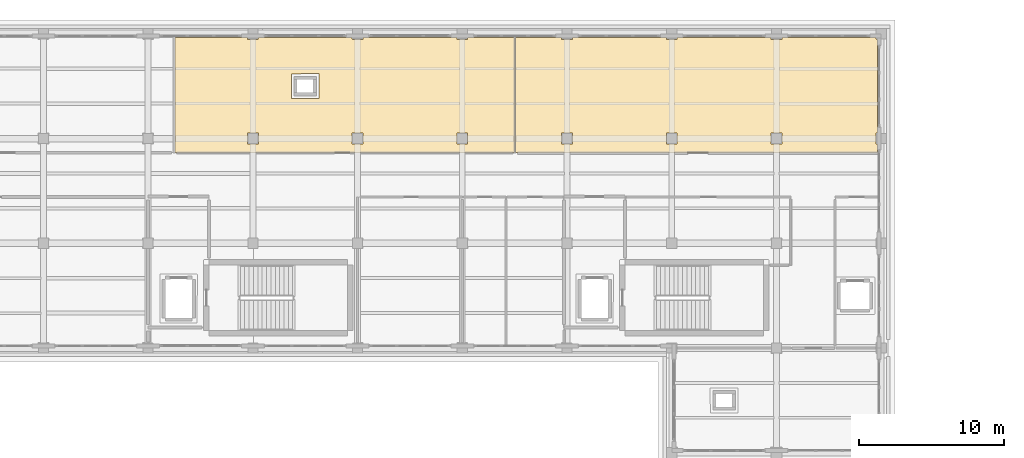
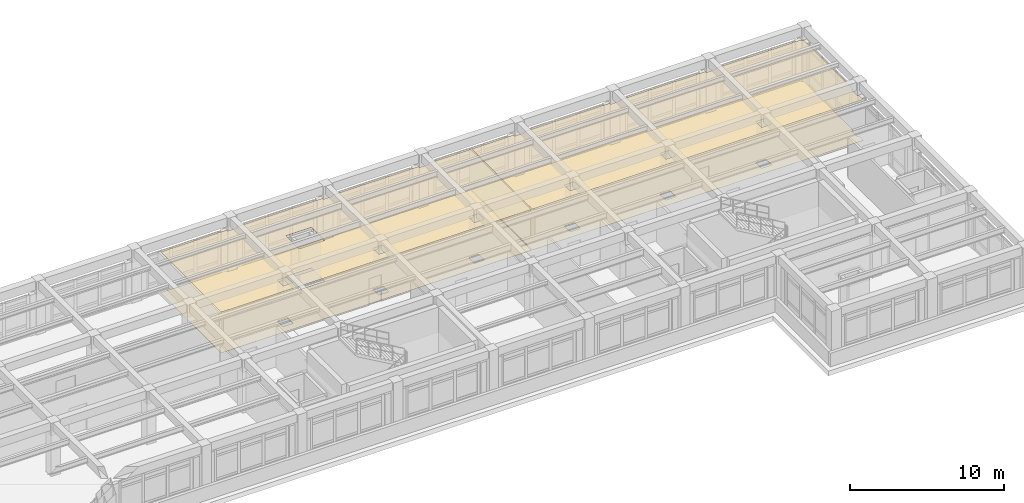
# One storey, part 64 of 64: 4 coverings.
"""IFC4 building model written with IfcOpenShell, lengths in metres."""

import ifcopenshell
import ifcopenshell.guid

model = None  # the IFC model being written
_history = None  # IfcOwnerHistory: only IFC2X3 demands one
_inside = {}  # id of a spatial element -> (the spatial element, [elements in it])
_under = {}  # id of a project, library or spatial element -> (it, [spatial elements below it])
_declared = {}  # id of a project -> (the project, [libraries it declares])
_typed = {}  # id of a type object -> (the type object, [elements of that type])
_made_of = {}  # id of a material, layer set ... -> (it, [elements and type objects made of it])


def new_model(schema):
    """Start an empty IFC model of exactly this schema.

    Asked for "IFC4X3", IfcOpenShell would pick the latest addendum, in which some entities
    have other attributes; the version numbers below select the first issue.
    IFC2X3 requires an IfcOwnerHistory on every rooted entity: one is made here for all.
    """
    global model, _history
    if schema == "IFC4X3":
        model = ifcopenshell.file(schema_version=(4, 3, 0, 0))
    else:
        model = ifcopenshell.file(schema=schema)
    _inside.clear()
    _under.clear()
    _declared.clear()
    _typed.clear()
    _made_of.clear()
    _history = None
    if model.schema == "IFC2X3":
        org = make("IfcOrganization", Name="unknown")
        user = make(
            "IfcPersonAndOrganization",
            ThePerson=make("IfcPerson", FamilyName="unknown"),
            TheOrganization=org,
        )
        app = make(
            "IfcApplication",
            ApplicationDeveloper=org,
            Version="unknown",
            ApplicationFullName="unknown",
            ApplicationIdentifier="unknown",
        )
        _history = make(
            "IfcOwnerHistory",
            OwningUser=user,
            OwningApplication=app,
            ChangeAction="ADDED",
            CreationDate=0,
        )
    return model


def make(cls, **values):
    """One entity of the class cls with the attributes given. An attribute that is None is left unset."""
    return model.create_entity(
        cls, **{name: value for name, value in values.items() if value is not None}
    )


def rooted(cls, **values):
    """An entity with a GlobalId (a new one), such as an element, a storey or a relation."""
    return make(cls, GlobalId=ifcopenshell.guid.new(), OwnerHistory=_history, **values)


def si_unit(unit_type, name, prefix=None):
    """IfcSIUnit, for example si_unit("LENGTHUNIT", "METRE", prefix="MILLI")."""
    return make("IfcSIUnit", UnitType=unit_type, Prefix=prefix, Name=name)


def assignment(units):
    """IfcUnitAssignment: the units of a project."""
    return None if units is None else make("IfcUnitAssignment", Units=units)


def point(xyz):
    """IfcCartesianPoint."""
    return None if xyz is None else make("IfcCartesianPoint", Coordinates=xyz)


def direction(xyz):
    """IfcDirection."""
    return None if xyz is None else make("IfcDirection", DirectionRatios=xyz)


def frame(location, z_axis=None, x_axis=None):
    """IfcAxis2Placement3D, a coordinate frame: its origin and axes. An axis left out is left unset."""
    return make(
        "IfcAxis2Placement3D",
        Location=point(location),
        Axis=direction(z_axis),
        RefDirection=direction(x_axis),
    )


def origin():
    """The frame at (0, 0, 0) with its axes left unset."""
    return frame((0.0, 0.0, 0.0))


def place(relative_to, where):
    """IfcLocalPlacement: puts the frame where relative to a parent placement (None: the world)."""
    return make(
        "IfcLocalPlacement", PlacementRelTo=relative_to, RelativePlacement=where
    )


def context(
    kind, dimensions, precision=None, world=None, true_north=None, identifier=None
):
    """IfcGeometricRepresentationContext, for example the 3D "Model" context."""
    return make(
        "IfcGeometricRepresentationContext",
        ContextIdentifier=identifier,
        ContextType=kind,
        CoordinateSpaceDimension=dimensions,
        Precision=precision,
        WorldCoordinateSystem=world,
        TrueNorth=true_north,
    )


def subcontext(parent, identifier, kind, view, scale=None):
    """IfcGeometricRepresentationSubContext, for example "Body" below "Model"."""
    return make(
        "IfcGeometricRepresentationSubContext",
        ContextIdentifier=identifier,
        ContextType=kind,
        ParentContext=parent,
        TargetScale=scale,
        TargetView=view,
    )


def project(units=None, contexts=None):
    """IfcProject with its units and contexts."""
    return rooted(
        "IfcProject",
        Name="project",
        RepresentationContexts=contexts,
        UnitsInContext=assignment(units),
    )


def spatial(cls, under=None, at=None, **own):
    """A site, building, storey or space (cls), placed at a placement, below another one or the project."""
    s = rooted(cls, ObjectPlacement=at, **own)
    if under is not None:
        _under.setdefault(under.id(), (under, []))[1].append(s)
    return s


def polyline(points):
    """IfcPolyline through the points."""
    return make("IfcPolyline", Points=[point(p) for p in points])


def outline(outer, holes=None, kind="AREA"):
    """IfcArbitraryClosedProfileDef: a profile drawn as a closed curve; with holes, ...WithVoids."""
    if holes is None:
        return make("IfcArbitraryClosedProfileDef", ProfileType=kind, OuterCurve=outer)
    return make(
        "IfcArbitraryProfileDefWithVoids",
        ProfileType=kind,
        OuterCurve=outer,
        InnerCurves=holes,
    )


def extrude(swept, where, along, depth):
    """IfcExtrudedAreaSolid: the profile swept, set in the frame where, extruded along a direction by depth."""
    return make(
        "IfcExtrudedAreaSolid",
        SweptArea=swept,
        Position=where,
        ExtrudedDirection=direction(along),
        Depth=depth,
    )


def shape(context_of_items, identifier, shape_type, items):
    """IfcShapeRepresentation: the items that make up one representation, for example the "Body"."""
    return make(
        "IfcShapeRepresentation",
        ContextOfItems=context_of_items,
        RepresentationIdentifier=identifier,
        RepresentationType=shape_type,
        Items=items,
    )


def material(Name=None, Category=None):
    """IfcMaterial."""
    return make("IfcMaterial", Name=Name, Category=Category)


def layer(
    of_material, thickness, ventilated=None, Name=None, Category=None, Priority=None
):
    """IfcMaterialLayer: one layer of a wall or slab, of a material (None: an air gap)."""
    return make(
        "IfcMaterialLayer",
        Material=of_material,
        LayerThickness=thickness,
        IsVentilated=ventilated,
        Name=Name,
        Category=Category,
        Priority=Priority,
    )


def layer_set(layers, Name=None):
    """IfcMaterialLayerSet."""
    return make("IfcMaterialLayerSet", MaterialLayers=layers, LayerSetName=Name)


def made_of(thing, what):
    """Note that an element or type object is made of a material, layer set ...; save() writes the relation."""
    if what is not None:
        _made_of.setdefault(what.id(), (what, []))[1].append(thing)
    return thing


def type_object(cls, material=None, **own):
    """A type object (cls), such as IfcWallType, which elements share."""
    return made_of(rooted(cls, **own), material)


def element(
    cls,
    number,
    at=None,
    inside=None,
    cuts=None,
    type_object=None,
    material=None,
    context=None,
    identifier="Body",
    shape_type=None,
    held_by="IfcProductDefinitionShape",
    body=None,
    shapes=None,
    **own,
):
    """One element of the class cls, such as IfcWall. Its Tag is "e" and its number.

    at: its placement. inside: the storey or other place that contains it. cuts: it is an
    opening in that element (IfcRelVoidsElement). A single representation is given by context,
    identifier, shape_type and body (its items); several are given by shapes. held_by: the class
    of the entity that holds the representations. save() writes the other relations.
    """
    e = rooted(cls, Tag="e%d" % number, ObjectPlacement=at, **own)
    if body is not None:
        shapes = [shape(context, identifier, shape_type, body)]
    if shapes is not None:
        e.Representation = make(held_by, Representations=shapes)
    if inside is not None:
        _inside.setdefault(inside.id(), (inside, []))[1].append(e)
    if cuts is not None:
        rooted(
            "IfcRelVoidsElement", RelatingBuildingElement=cuts, RelatedOpeningElement=e
        )
    if type_object is not None:
        _typed.setdefault(type_object.id(), (type_object, []))[1].append(e)
    return made_of(e, material)


def aggregate(whole, parts):
    """IfcRelAggregates: a whole, such as a stair, and the parts it consists of."""
    return rooted("IfcRelAggregates", RelatingObject=whole, RelatedObjects=parts)


def save(model, path):
    """Write the relations noted so far, then the file.

    IfcRelAggregates (storeys below a building ...), IfcRelContainedInSpatialStructure (elements
    in a storey), IfcRelDefinesByType, IfcRelAssociatesMaterial and IfcRelDeclares: one each for
    every whole, place, type object, material and project.
    """
    for whole, parts in _under.values():
        aggregate(whole, parts)
    for where, things in _inside.values():
        rooted(
            "IfcRelContainedInSpatialStructure",
            RelatedElements=things,
            RelatingStructure=where,
        )
    for kind, things in _typed.values():
        rooted("IfcRelDefinesByType", RelatedObjects=things, RelatingType=kind)
    for what, things in _made_of.values():
        rooted("IfcRelAssociatesMaterial", RelatedObjects=things, RelatingMaterial=what)
    for by, libraries in _declared.values():
        rooted("IfcRelDeclares", RelatingContext=by, RelatedDefinitions=libraries)
    model.write(path)


model = new_model("IFC4")

# Units and contexts
model_context = context("Model", 3, precision=1e-05, world=origin(), true_north=direction((0.0, 1.0)))
body_context = subcontext(model_context, "Body", "Model", "MODEL_VIEW")
ifc_project = project(units=[si_unit("LENGTHUNIT", "METRE"), si_unit("AREAUNIT", "SQUARE_METRE"), si_unit("VOLUMEUNIT", "CUBIC_METRE"), si_unit("PLANEANGLEUNIT", "RADIAN"), si_unit("MASSUNIT", "GRAM", prefix="KILO")], contexts=[model_context])

# Site, building, storey
site_placement = place(None, origin())
site = spatial("IfcSite", under=ifc_project, at=site_placement, CompositionType="ELEMENT")
building_placement = place(site_placement, origin())
building = spatial("IfcBuilding", under=site, at=building_placement, Name="Solenvale Faculty of Natural Sciences", CompositionType="ELEMENT")
storey_placement = place(building_placement, frame((0.0, 0.0, 18.0)))
storey = spatial("IfcBuildingStorey", under=building, at=storey_placement, Name="L04", CompositionType="ELEMENT", Elevation=18.0)

# Coverings
ifc_material_1 = material(Name="Acoustic mineral-timber ceiling", Category="wood")
ifc_layer_1 = layer(ifc_material_1, 0.02490234375)
ifc_layer_set_1 = layer_set([ifc_layer_1], Name="Acoustic mineral-timber ceiling")
covering_type_1 = type_object("IfcCoveringType", Name="COV-CEIL-AC25", PredefinedType="CEILING", material=ifc_layer_set_1)
covering_1_placement = place(storey_placement, frame((0.0, 0.0, 3.235107421875)))
element("IfcCovering", 1, at=covering_1_placement, inside=storey, type_object=covering_type_1, Name="L04 Faculty Staff Office Acoustic Ceiling", PredefinedType="CEILING", context=body_context, shape_type="SweptSolid", body=[
    extrude(outline(polyline([(107.594970703125, 114.9599609375), (107.6240234375, 114.93896484375), (107.625, 114.833984375), (107.635986328125, 114.824951171875), (108.366943359375, 114.824951171875), (108.3759765625, 114.93896484375), (108.405029296875, 114.9599609375), (114.794921875, 114.9599609375), (114.823974609375, 114.93896484375), (114.824951171875, 114.833984375), (114.8359375, 114.824951171875), (115.56689453125, 114.824951171875), (115.575927734375, 114.93896484375), (115.60498046875, 114.9599609375), (121.9951171875, 114.9599609375), (122.02392578125, 114.93896484375), (122.02490234375, 114.833984375), (122.035888671875, 114.824951171875), (122.76708984375, 114.824951171875), (122.77587890625, 114.93896484375), (122.804931640625, 114.9599609375), (125.9609375, 114.9580078125), (125.97998046875, 114.929931640625), (125.97802734375, 107.05908203125), (125.949951171875, 107.0400390625), (102.653076171875, 107.044921875), (102.639892578125, 107.070068359375), (102.64501953125, 114.947021484375), (102.669921875, 114.9599609375), (107.594970703125, 114.9599609375)]), holes=[polyline([(122.035888671875, 108.375), (122.02490234375, 108.364013671875), (122.028076171875, 107.6279296875), (122.77197265625, 107.6279296875), (122.77197265625, 108.3720703125), (122.035888671875, 108.375)]), polyline([(114.8359375, 108.375), (114.824951171875, 108.364013671875), (114.827880859375, 107.6279296875), (115.572021484375, 107.6279296875), (115.572021484375, 108.3720703125), (114.8359375, 108.375)]), polyline([(112.56005859375, 112.431884765625), (112.550048828125, 112.451904296875), (112.530029296875, 112.4599609375), (110.64990234375, 112.451904296875), (110.639892578125, 112.429931640625), (110.64794921875, 110.75), (110.669921875, 110.739990234375), (112.550048828125, 110.748046875), (112.56005859375, 110.77001953125), (112.56005859375, 112.431884765625)]), polyline([(107.635986328125, 108.375), (107.625, 108.364013671875), (107.6279296875, 107.6279296875), (108.3720703125, 107.6279296875), (108.3720703125, 108.3720703125), (107.635986328125, 108.375)])]), origin(), (0.0, 0.0, 1.0), 0.02490234375),
])
covering_2_placement = place(storey_placement, frame((0.0, 0.0, 3.235107421875)))
element("IfcCovering", 2, at=covering_2_placement, inside=storey, type_object=covering_type_1, Name="L04 Optics and Photonics Research Laboratory Acoustic Ceiling", PredefinedType="CEILING", context=body_context, shape_type="SweptSolid", body=[
    extrude(outline(polyline([(129.195068359375, 114.9599609375), (129.22412109375, 114.93896484375), (129.22509765625, 114.833984375), (129.236083984375, 114.824951171875), (129.967041015625, 114.824951171875), (129.97607421875, 114.93896484375), (130.0048828125, 114.9599609375), (136.39501953125, 114.9599609375), (136.424072265625, 114.93896484375), (136.425048828125, 114.833984375), (136.43603515625, 114.824951171875), (137.1669921875, 114.824951171875), (137.176025390625, 114.93896484375), (137.205078125, 114.9599609375), (143.594970703125, 114.9599609375), (143.6240234375, 114.93896484375), (143.625, 114.833984375), (143.635986328125, 114.824951171875), (144.366943359375, 114.824951171875), (144.3759765625, 114.93896484375), (144.405029296875, 114.9599609375), (150.805908203125, 114.9580078125), (150.823974609375, 114.93603515625), (150.827880859375, 114.827880859375), (150.93603515625, 114.823974609375), (150.9599609375, 114.794921875), (150.9599609375, 108.405029296875), (150.93896484375, 108.3759765625), (150.833984375, 108.375), (150.824951171875, 108.364013671875), (150.824951171875, 107.634033203125), (150.833984375, 107.625), (150.93603515625, 107.6240234375), (150.958984375, 107.60107421875), (150.9580078125, 107.05908203125), (150.929931640625, 107.0400390625), (126.05908203125, 107.0419921875), (126.0400390625, 107.070068359375), (126.0419921875, 114.94091796875), (126.070068359375, 114.9599609375), (129.195068359375, 114.9599609375)]), holes=[polyline([(143.635986328125, 108.375), (143.625, 108.364013671875), (143.6279296875, 107.6279296875), (144.3720703125, 107.6279296875), (144.3720703125, 108.3720703125), (143.635986328125, 108.375)]), polyline([(136.43603515625, 108.375), (136.425048828125, 108.364013671875), (136.427978515625, 107.6279296875), (137.172119140625, 107.6279296875), (137.172119140625, 108.3720703125), (136.43603515625, 108.375)]), polyline([(129.236083984375, 108.375), (129.22509765625, 108.364013671875), (129.22802734375, 107.6279296875), (129.971923828125, 107.6279296875), (129.971923828125, 108.3720703125), (129.236083984375, 108.375)])]), origin(), (0.0, 0.0, 1.0), 0.02490234375),
])
ifc_material_2 = material(Name="Polished slate terrazzo flooring", Category="masonry")
ifc_layer_2 = layer(ifc_material_2, 0.01806640625)
ifc_layer_set_2 = layer_set([ifc_layer_2], Name="Polished slate terrazzo flooring")
covering_type_2 = type_object("IfcCoveringType", Name="COV-FLR-TRZ18", PredefinedType="FLOORING", material=ifc_layer_set_2)
covering_3_placement = place(storey_placement, origin())
element("IfcCovering", 3, at=covering_3_placement, inside=storey, type_object=covering_type_2, Name="L04 Faculty Staff Office Floor Finish", PredefinedType="FLOORING", context=body_context, shape_type="SweptSolid", body=[
    extrude(outline(polyline([(107.594970703125, 114.9599609375), (107.6240234375, 114.93896484375), (107.625, 114.833984375), (107.635986328125, 114.824951171875), (108.366943359375, 114.824951171875), (108.3759765625, 114.93896484375), (108.405029296875, 114.9599609375), (114.794921875, 114.9599609375), (114.823974609375, 114.93896484375), (114.824951171875, 114.833984375), (114.8359375, 114.824951171875), (115.56689453125, 114.824951171875), (115.575927734375, 114.93896484375), (115.60498046875, 114.9599609375), (121.9951171875, 114.9599609375), (122.02392578125, 114.93896484375), (122.02490234375, 114.833984375), (122.035888671875, 114.824951171875), (122.76708984375, 114.824951171875), (122.77587890625, 114.93896484375), (122.804931640625, 114.9599609375), (125.9609375, 114.9580078125), (125.97998046875, 114.929931640625), (125.97802734375, 107.05908203125), (125.949951171875, 107.0400390625), (102.653076171875, 107.044921875), (102.639892578125, 107.070068359375), (102.64501953125, 114.947021484375), (102.669921875, 114.9599609375), (107.594970703125, 114.9599609375)]), holes=[polyline([(122.035888671875, 108.375), (122.02490234375, 108.364013671875), (122.028076171875, 107.6279296875), (122.77197265625, 107.6279296875), (122.77197265625, 108.3720703125), (122.035888671875, 108.375)]), polyline([(114.8359375, 108.375), (114.824951171875, 108.364013671875), (114.827880859375, 107.6279296875), (115.572021484375, 107.6279296875), (115.572021484375, 108.3720703125), (114.8359375, 108.375)]), polyline([(112.56005859375, 112.431884765625), (112.550048828125, 112.451904296875), (112.530029296875, 112.4599609375), (110.64990234375, 112.451904296875), (110.639892578125, 112.429931640625), (110.64794921875, 110.75), (110.669921875, 110.739990234375), (112.550048828125, 110.748046875), (112.56005859375, 110.77001953125), (112.56005859375, 112.431884765625)]), polyline([(107.635986328125, 108.375), (107.625, 108.364013671875), (107.6279296875, 107.6279296875), (108.3720703125, 107.6279296875), (108.3720703125, 108.3720703125), (107.635986328125, 108.375)])]), origin(), (0.0, 0.0, 1.0), 0.01806640625),
])
ifc_material_3 = material(Name="Seamless laboratory vinyl flooring")
ifc_layer_3 = layer(ifc_material_3, 0.008056640625)
ifc_layer_set_3 = layer_set([ifc_layer_3], Name="Seamless laboratory vinyl flooring")
covering_type_3 = type_object("IfcCoveringType", Name="COV-FLR-VNL08", PredefinedType="FLOORING", material=ifc_layer_set_3)
covering_4_placement = place(storey_placement, origin())
element("IfcCovering", 4, at=covering_4_placement, inside=storey, type_object=covering_type_3, Name="L04 Optics and Photonics Research Laboratory Floor Finish", PredefinedType="FLOORING", context=body_context, shape_type="SweptSolid", body=[
    extrude(outline(polyline([(129.195068359375, 114.9599609375), (129.22412109375, 114.93896484375), (129.22509765625, 114.833984375), (129.236083984375, 114.824951171875), (129.967041015625, 114.824951171875), (129.97607421875, 114.93896484375), (130.0048828125, 114.9599609375), (136.39501953125, 114.9599609375), (136.424072265625, 114.93896484375), (136.425048828125, 114.833984375), (136.43603515625, 114.824951171875), (137.1669921875, 114.824951171875), (137.176025390625, 114.93896484375), (137.205078125, 114.9599609375), (143.594970703125, 114.9599609375), (143.6240234375, 114.93896484375), (143.625, 114.833984375), (143.635986328125, 114.824951171875), (144.366943359375, 114.824951171875), (144.3759765625, 114.93896484375), (144.405029296875, 114.9599609375), (150.805908203125, 114.9580078125), (150.823974609375, 114.93603515625), (150.827880859375, 114.827880859375), (150.93603515625, 114.823974609375), (150.9599609375, 114.794921875), (150.9599609375, 108.405029296875), (150.93896484375, 108.3759765625), (150.833984375, 108.375), (150.824951171875, 108.364013671875), (150.824951171875, 107.634033203125), (150.833984375, 107.625), (150.93603515625, 107.6240234375), (150.958984375, 107.60107421875), (150.9580078125, 107.05908203125), (150.929931640625, 107.0400390625), (126.05908203125, 107.0419921875), (126.0400390625, 107.070068359375), (126.0419921875, 114.94091796875), (126.070068359375, 114.9599609375), (129.195068359375, 114.9599609375)]), holes=[polyline([(143.635986328125, 108.375), (143.625, 108.364013671875), (143.6279296875, 107.6279296875), (144.3720703125, 107.6279296875), (144.3720703125, 108.3720703125), (143.635986328125, 108.375)]), polyline([(136.43603515625, 108.375), (136.425048828125, 108.364013671875), (136.427978515625, 107.6279296875), (137.172119140625, 107.6279296875), (137.172119140625, 108.3720703125), (136.43603515625, 108.375)]), polyline([(129.236083984375, 108.375), (129.22509765625, 108.364013671875), (129.22802734375, 107.6279296875), (129.971923828125, 107.6279296875), (129.971923828125, 108.3720703125), (129.236083984375, 108.375)])]), origin(), (0.0, 0.0, 1.0), 0.008056640625),
])

save(model, "model.ifc")
